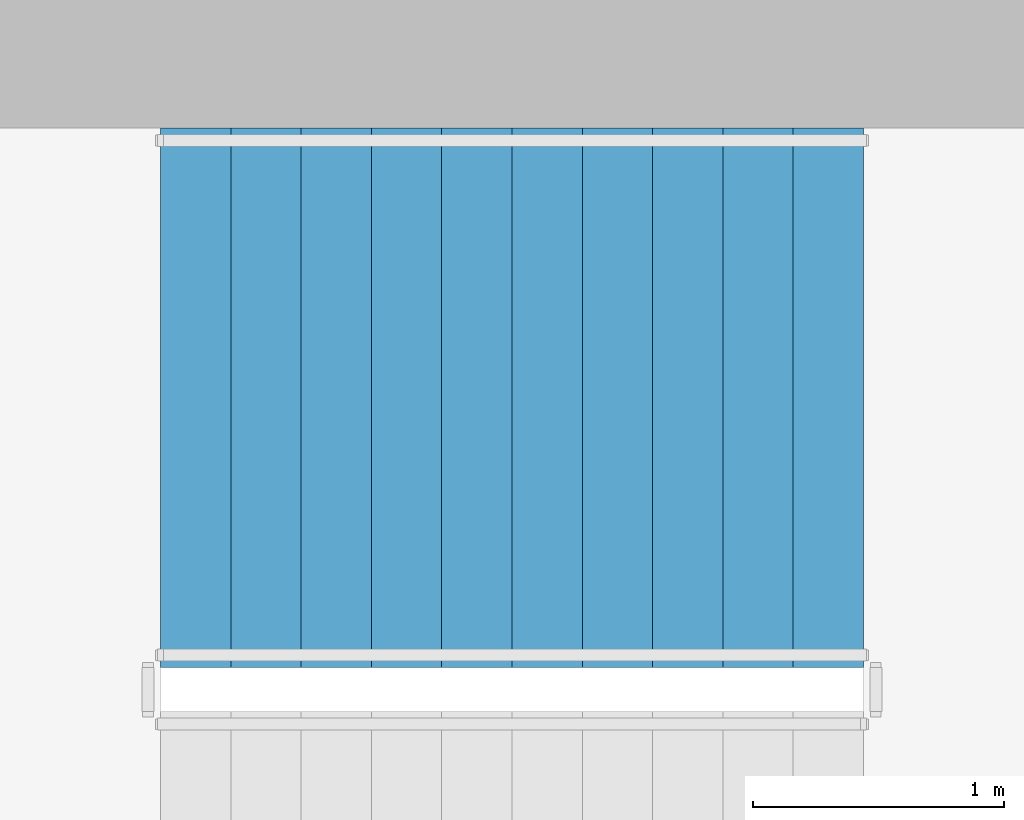
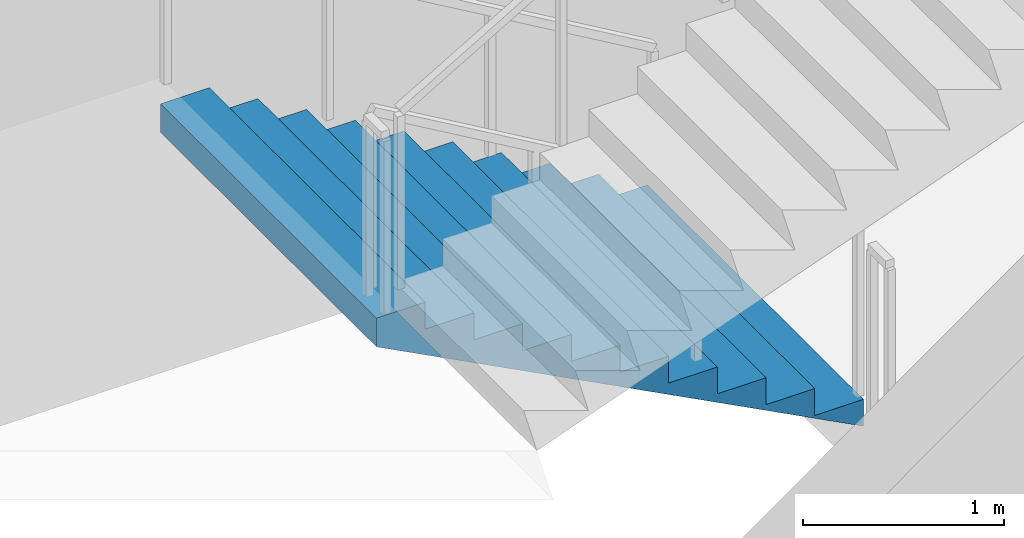
# One storey, part 12 of 20: 1 stair flight, 1 element without a shape of its own.
"""IFC4 building model written with IfcOpenShell, lengths in metres."""

from ifc_helpers import new_model, si_unit, direction, frame, origin, place, context, subcontext, project, spatial, triangles, material, type_object, element, aggregate, save


model = new_model("IFC4")

# Units and contexts
model_context = context("Model", 3, precision=1e-05, world=origin(), true_north=direction((0.0, 1.0)))
body_context = subcontext(model_context, "Body", "Model", "MODEL_VIEW")
ifc_project = project(units=[si_unit("LENGTHUNIT", "METRE"), si_unit("AREAUNIT", "SQUARE_METRE"), si_unit("VOLUMEUNIT", "CUBIC_METRE"), si_unit("PLANEANGLEUNIT", "RADIAN"), si_unit("MASSUNIT", "GRAM", prefix="KILO")], contexts=[model_context])

# Site, building, storey
site_placement = place(None, origin())
site = spatial("IfcSite", under=ifc_project, at=site_placement, CompositionType="ELEMENT")
building_placement = place(site_placement, origin())
building = spatial("IfcBuilding", under=site, at=building_placement, Name="Cypress Arch Tower", CompositionType="ELEMENT")
storey_placement = place(building_placement, frame((0.0, 0.0, 91.5)))
storey = spatial("IfcBuildingStorey", under=building, at=storey_placement, Name="L17", CompositionType="ELEMENT", Elevation=91.5)

# Stair, stair flight
ifc_material_1 = material(Name="Concrete C40/50", Category="concrete")
stair_type = type_object("IfcStairType", Name="Exit stair ES1636-215", PredefinedType="HALF_TURN_STAIR", material=ifc_material_1)
stair_placement = place(storey_placement, origin())
stair = element("IfcStair", 1, at=stair_placement, inside=storey, type_object=stair_type, Name="L17 Exit stair B", PredefinedType="HALF_TURN_STAIR")
ifc_material_2 = material(Name="Concrete C40/50", Category="concrete")
stair_flight_type = type_object("IfcStairFlightType", Name="Exit stair flight ES1636-215", PredefinedType="STRAIGHT", material=ifc_material_2)
stair_flight_placement = place(storey_placement, frame((-22.27490234375, 13.72509765625, 0.0), z_axis=(0.0, 0.0, 1.0), x_axis=(-1.0, 0.0, 0.0)))
stair_flight = element("IfcStairFlight", 2, at=stair_flight_placement, type_object=stair_flight_type, Name="B flight 1", NumberOfRisers=11, NumberOfTreads=10, PredefinedType="STRAIGHT", RiserHeight=0.163636364, TreadLength=0.28, context=body_context, shape_type="Tessellation", body=[
    triangles([(0.0, -1.074951171875, 0.0), (0.000244140625, -1.074951171875, 0.03271484375), (0.00048828125, -1.074951171875, 0.0654296875), (0.00048828125, -1.074951171875, 0.09814453125), (0.000244140625, -1.074951171875, 0.130859375), (0.0, -1.074951171875, 0.16357421875), (0.280029296875, -1.074951171875, 0.16357421875), (0.280029296875, -1.074951171875, 0.327392578125), (0.56005859375, -1.074951171875, 0.327392578125), (0.56005859375, -1.074951171875, 0.490966796875), (0.840087890625, -1.074951171875, 0.490966796875), (0.840087890625, -1.074951171875, 0.654541015625), (1.1201171875, -1.074951171875, 0.654541015625), (1.1201171875, -1.074951171875, 0.818115234375), (1.39990234375, -1.074951171875, 0.818115234375), (1.39990234375, -1.074951171875, 0.98193359375), (1.679931640625, -1.074951171875, 0.98193359375), (1.679931640625, -1.074951171875, 1.1455078125), (1.9599609375, -1.074951171875, 1.1455078125), (1.9599609375, -1.074951171875, 1.30908203125), (2.239990234375, -1.074951171875, 1.30908203125), (2.239990234375, -1.074951171875, 1.47265625), (2.52001953125, -1.074951171875, 1.47265625), (2.52001953125, -1.074951171875, 1.636474609375), (2.800048828125, -1.074951171875, 1.636474609375), (2.7998046875, -1.074951171875, 1.601806640625), (2.799560546875, -1.074951171875, 1.56689453125), (2.799560546875, -1.074951171875, 1.5322265625), (2.7998046875, -1.074951171875, 1.497314453125), (2.800048828125, -1.074951171875, 1.462646484375), (2.800048828125, 1.074951171875, 1.462646484375), (2.7998046875, 1.074951171875, 1.497314453125), (2.799560546875, 1.074951171875, 1.5322265625), (2.799560546875, 1.074951171875, 1.56689453125), (2.7998046875, 1.074951171875, 1.601806640625), (2.800048828125, 1.074951171875, 1.636474609375), (2.52001953125, 1.074951171875, 1.636474609375), (2.52001953125, 1.074951171875, 1.47265625), (2.239990234375, 1.074951171875, 1.47265625), (2.239990234375, 1.074951171875, 1.30908203125), (1.9599609375, 1.074951171875, 1.30908203125), (1.9599609375, 1.074951171875, 1.1455078125), (1.679931640625, 1.074951171875, 1.1455078125), (1.679931640625, 1.074951171875, 0.98193359375), (1.39990234375, 1.074951171875, 0.98193359375), (1.39990234375, 1.074951171875, 0.818115234375), (1.1201171875, 1.074951171875, 0.818115234375), (1.1201171875, 1.074951171875, 0.654541015625), (0.840087890625, 1.074951171875, 0.654541015625), (0.840087890625, 1.074951171875, 0.490966796875), (0.56005859375, 1.074951171875, 0.490966796875), (0.56005859375, 1.074951171875, 0.327392578125), (0.280029296875, 1.074951171875, 0.327392578125), (0.280029296875, 1.074951171875, 0.16357421875), (0.0, 1.074951171875, 0.16357421875), (0.000244140625, 1.074951171875, 0.130859375), (0.00048828125, 1.074951171875, 0.09814453125), (0.00048828125, 1.074951171875, 0.0654296875), (0.000244140625, 1.074951171875, 0.03271484375), (0.0, 1.074951171875, 0.0), (2.7998046875, 0.0, 1.497314453125), (2.800048828125, 0.0, 1.462646484375), (2.799560546875, 0.0, 1.5322265625), (2.799560546875, 0.0, 1.56689453125), (2.7998046875, 0.0, 1.601806640625), (2.800048828125, 0.0, 1.636474609375), (2.52001953125, 0.0, 1.636474609375), (2.52001953125, 0.0, 1.47265625), (2.239990234375, 0.0, 1.47265625), (2.239990234375, 0.0, 1.30908203125), (1.9599609375, 0.0, 1.30908203125), (1.9599609375, 0.0, 1.1455078125), (1.679931640625, 0.0, 1.1455078125), (1.679931640625, 0.0, 0.98193359375), (1.39990234375, 0.0, 0.98193359375), (1.39990234375, 0.0, 0.818115234375), (1.1201171875, 0.0, 0.818115234375), (1.1201171875, 0.0, 0.654541015625), (0.840087890625, 0.0, 0.654541015625), (0.840087890625, 0.0, 0.490966796875), (0.56005859375, 0.0, 0.490966796875), (0.56005859375, 0.0, 0.327392578125), (0.280029296875, 0.0, 0.327392578125), (0.280029296875, 0.0, 0.16357421875), (0.0, 0.0, 0.16357421875), (0.000244140625, 0.0, 0.130859375), (0.00048828125, 0.0, 0.09814453125), (0.00048828125, 0.0, 0.0654296875), (0.000244140625, 0.0, 0.03271484375), (0.0, 0.0, 0.0)], [[30, 29, 24], [29, 28, 24], [28, 27, 24], [27, 26, 24], [26, 25, 24], [17, 16, 15], [9, 8, 7], [15, 14, 13], [23, 22, 21], [21, 20, 19], [19, 18, 17], [13, 12, 11], [11, 10, 9], [6, 5, 7], [5, 4, 7], [4, 3, 7], [3, 2, 7], [2, 1, 7], [30, 24, 23], [30, 23, 21], [30, 21, 19], [30, 19, 17], [30, 17, 15], [30, 15, 13], [30, 13, 11], [30, 11, 9], [30, 9, 7], [30, 7, 1], [31, 37, 32], [32, 37, 33], [33, 37, 34], [34, 37, 35], [35, 37, 36], [44, 46, 45], [52, 54, 53], [46, 48, 47], [38, 40, 39], [40, 42, 41], [42, 44, 43], [48, 50, 49], [50, 52, 51], [55, 54, 56], [56, 54, 57], [57, 54, 58], [58, 54, 59], [59, 54, 60], [31, 38, 37], [31, 40, 38], [31, 42, 40], [31, 44, 42], [31, 46, 44], [31, 48, 46], [31, 50, 48], [31, 52, 50], [31, 54, 52], [31, 60, 54], [62, 61, 29], [62, 29, 30], [31, 32, 61], [31, 61, 62], [61, 63, 28], [61, 28, 29], [32, 33, 63], [32, 63, 61], [63, 64, 27], [63, 27, 28], [33, 34, 64], [33, 64, 63], [64, 65, 26], [64, 26, 27], [34, 35, 65], [34, 65, 64], [65, 66, 25], [65, 25, 26], [35, 36, 66], [35, 66, 65], [66, 67, 24], [66, 24, 25], [36, 37, 67], [36, 67, 66], [67, 68, 23], [67, 23, 24], [37, 38, 68], [37, 68, 67], [68, 69, 22], [68, 22, 23], [38, 39, 69], [38, 69, 68], [69, 70, 21], [69, 21, 22], [39, 40, 70], [39, 70, 69], [70, 71, 20], [70, 20, 21], [40, 41, 71], [40, 71, 70], [71, 72, 19], [71, 19, 20], [41, 42, 72], [41, 72, 71], [72, 73, 18], [72, 18, 19], [42, 43, 73], [42, 73, 72], [73, 74, 17], [73, 17, 18], [43, 44, 74], [43, 74, 73], [74, 75, 16], [74, 16, 17], [44, 45, 75], [44, 75, 74], [75, 76, 15], [75, 15, 16], [45, 46, 76], [45, 76, 75], [76, 77, 14], [76, 14, 15], [46, 47, 77], [46, 77, 76], [77, 78, 13], [77, 13, 14], [47, 48, 78], [47, 78, 77], [78, 79, 12], [78, 12, 13], [48, 49, 79], [48, 79, 78], [79, 80, 11], [79, 11, 12], [49, 50, 80], [49, 80, 79], [80, 81, 10], [80, 10, 11], [50, 51, 81], [50, 81, 80], [81, 82, 9], [81, 9, 10], [51, 52, 82], [51, 82, 81], [82, 83, 8], [82, 8, 9], [52, 53, 83], [52, 83, 82], [83, 84, 7], [83, 7, 8], [53, 54, 84], [53, 84, 83], [84, 85, 6], [84, 6, 7], [54, 55, 85], [54, 85, 84], [85, 86, 5], [85, 5, 6], [55, 56, 86], [55, 86, 85], [86, 87, 4], [86, 4, 5], [56, 57, 87], [56, 87, 86], [87, 88, 3], [87, 3, 4], [57, 58, 88], [57, 88, 87], [88, 89, 2], [88, 2, 3], [58, 59, 89], [58, 89, 88], [89, 90, 1], [89, 1, 2], [59, 60, 90], [59, 90, 89], [90, 62, 30], [90, 30, 1], [60, 31, 62], [60, 62, 90]], closed=True),
])
aggregate(stair, [stair_flight])

save(model, "model.ifc")
